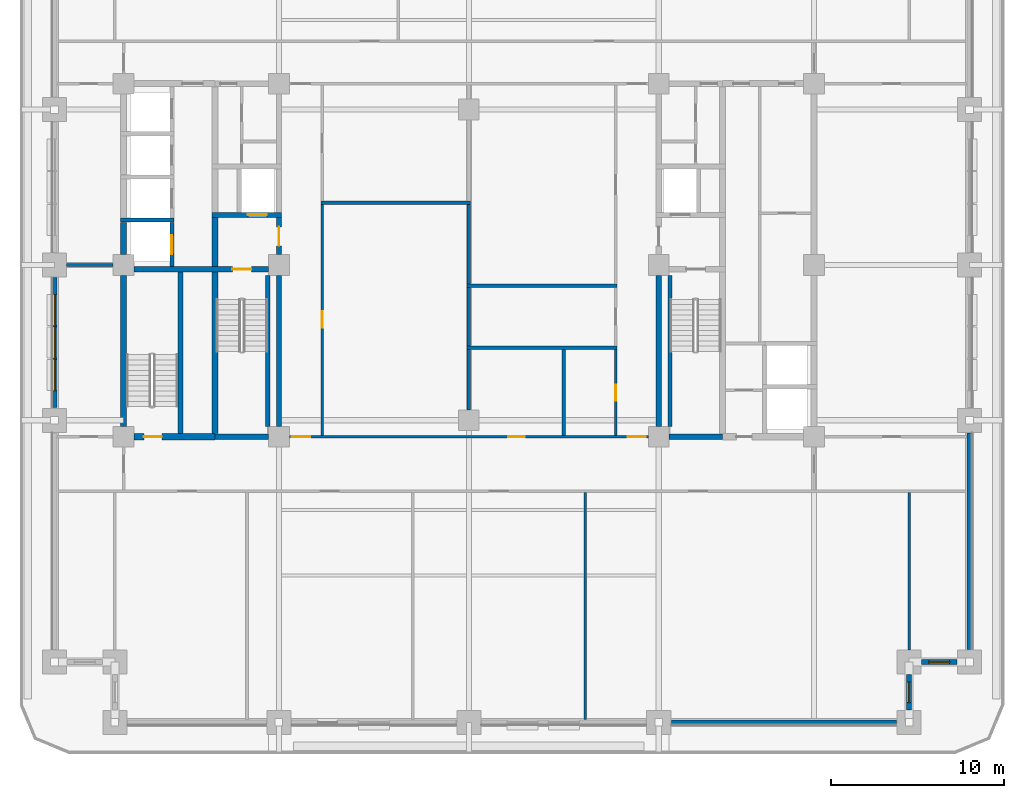
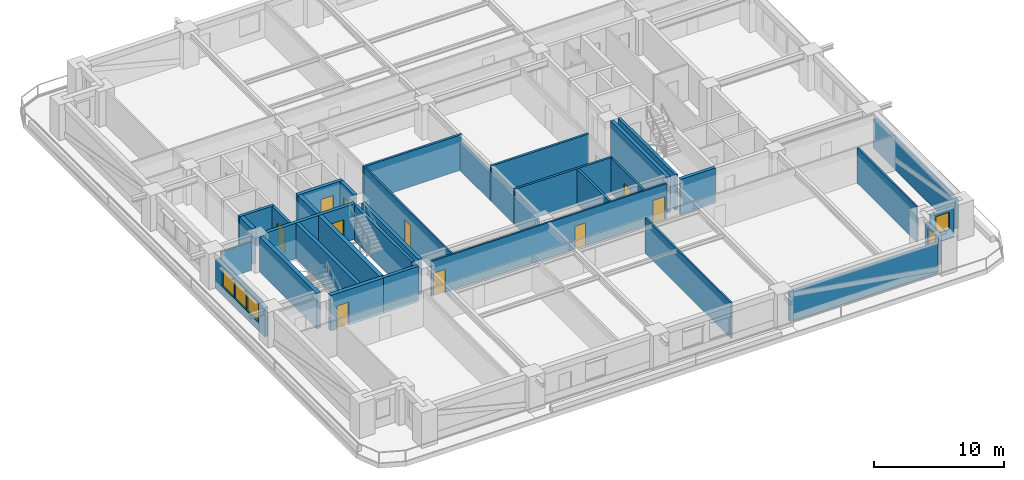
# One storey, part 3 of 14: 35 walls, 10 doors, 5 windows, 15 openings.
"""IFC4 building model written with IfcOpenShell, lengths in metres."""

import ifcopenshell
import ifcopenshell.guid

model = None  # the IFC model being written
_history = None  # IfcOwnerHistory: only IFC2X3 demands one
_inside = {}  # id of a spatial element -> (the spatial element, [elements in it])
_under = {}  # id of a project, library or spatial element -> (it, [spatial elements below it])
_declared = {}  # id of a project -> (the project, [libraries it declares])
_typed = {}  # id of a type object -> (the type object, [elements of that type])
_made_of = {}  # id of a material, layer set ... -> (it, [elements and type objects made of it])


def new_model(schema):
    """Start an empty IFC model of exactly this schema.

    Asked for "IFC4X3", IfcOpenShell would pick the latest addendum, in which some entities
    have other attributes; the version numbers below select the first issue.
    IFC2X3 requires an IfcOwnerHistory on every rooted entity: one is made here for all.
    """
    global model, _history
    if schema == "IFC4X3":
        model = ifcopenshell.file(schema_version=(4, 3, 0, 0))
    else:
        model = ifcopenshell.file(schema=schema)
    _inside.clear()
    _under.clear()
    _declared.clear()
    _typed.clear()
    _made_of.clear()
    _history = None
    if model.schema == "IFC2X3":
        org = make("IfcOrganization", Name="unknown")
        user = make(
            "IfcPersonAndOrganization",
            ThePerson=make("IfcPerson", FamilyName="unknown"),
            TheOrganization=org,
        )
        app = make(
            "IfcApplication",
            ApplicationDeveloper=org,
            Version="unknown",
            ApplicationFullName="unknown",
            ApplicationIdentifier="unknown",
        )
        _history = make(
            "IfcOwnerHistory",
            OwningUser=user,
            OwningApplication=app,
            ChangeAction="ADDED",
            CreationDate=0,
        )
    return model


def make(cls, **values):
    """One entity of the class cls with the attributes given. An attribute that is None is left unset."""
    return model.create_entity(
        cls, **{name: value for name, value in values.items() if value is not None}
    )


def rooted(cls, **values):
    """An entity with a GlobalId (a new one), such as an element, a storey or a relation."""
    return make(cls, GlobalId=ifcopenshell.guid.new(), OwnerHistory=_history, **values)


def si_unit(unit_type, name, prefix=None):
    """IfcSIUnit, for example si_unit("LENGTHUNIT", "METRE", prefix="MILLI")."""
    return make("IfcSIUnit", UnitType=unit_type, Prefix=prefix, Name=name)


def assignment(units):
    """IfcUnitAssignment: the units of a project."""
    return None if units is None else make("IfcUnitAssignment", Units=units)


def point(xyz):
    """IfcCartesianPoint."""
    return None if xyz is None else make("IfcCartesianPoint", Coordinates=xyz)


def direction(xyz):
    """IfcDirection."""
    return None if xyz is None else make("IfcDirection", DirectionRatios=xyz)


def frame(location, z_axis=None, x_axis=None):
    """IfcAxis2Placement3D, a coordinate frame: its origin and axes. An axis left out is left unset."""
    return make(
        "IfcAxis2Placement3D",
        Location=point(location),
        Axis=direction(z_axis),
        RefDirection=direction(x_axis),
    )


def frame_2d(location, x_axis=None):
    """IfcAxis2Placement2D, a coordinate frame in the plane: its origin and x axis."""
    return make(
        "IfcAxis2Placement2D", Location=point(location), RefDirection=direction(x_axis)
    )


def origin():
    """The frame at (0, 0, 0) with its axes left unset."""
    return frame((0.0, 0.0, 0.0))


def place(relative_to, where):
    """IfcLocalPlacement: puts the frame where relative to a parent placement (None: the world)."""
    return make(
        "IfcLocalPlacement", PlacementRelTo=relative_to, RelativePlacement=where
    )


def context(
    kind, dimensions, precision=None, world=None, true_north=None, identifier=None
):
    """IfcGeometricRepresentationContext, for example the 3D "Model" context."""
    return make(
        "IfcGeometricRepresentationContext",
        ContextIdentifier=identifier,
        ContextType=kind,
        CoordinateSpaceDimension=dimensions,
        Precision=precision,
        WorldCoordinateSystem=world,
        TrueNorth=true_north,
    )


def subcontext(parent, identifier, kind, view, scale=None):
    """IfcGeometricRepresentationSubContext, for example "Body" below "Model"."""
    return make(
        "IfcGeometricRepresentationSubContext",
        ContextIdentifier=identifier,
        ContextType=kind,
        ParentContext=parent,
        TargetScale=scale,
        TargetView=view,
    )


def project(units=None, contexts=None):
    """IfcProject with its units and contexts."""
    return rooted(
        "IfcProject",
        Name="project",
        RepresentationContexts=contexts,
        UnitsInContext=assignment(units),
    )


def spatial(cls, under=None, at=None, **own):
    """A site, building, storey or space (cls), placed at a placement, below another one or the project."""
    s = rooted(cls, ObjectPlacement=at, **own)
    if under is not None:
        _under.setdefault(under.id(), (under, []))[1].append(s)
    return s


def profile(cls, at=None, kind="AREA", **sizes):
    """A parametric profile (cls). Its sizes go by their IFC names, for example OverallWidth=200.0."""
    return make(cls, ProfileType=kind, Position=at, **sizes)


def rectangle(**sizes):
    """IfcRectangleProfileDef."""
    return profile("IfcRectangleProfileDef", **sizes)


def extrude(swept, where, along, depth):
    """IfcExtrudedAreaSolid: the profile swept, set in the frame where, extruded along a direction by depth."""
    return make(
        "IfcExtrudedAreaSolid",
        SweptArea=swept,
        Position=where,
        ExtrudedDirection=direction(along),
        Depth=depth,
    )


def shape(context_of_items, identifier, shape_type, items):
    """IfcShapeRepresentation: the items that make up one representation, for example the "Body"."""
    return make(
        "IfcShapeRepresentation",
        ContextOfItems=context_of_items,
        RepresentationIdentifier=identifier,
        RepresentationType=shape_type,
        Items=items,
    )


def material(Name=None, Category=None):
    """IfcMaterial."""
    return make("IfcMaterial", Name=Name, Category=Category)


def layer(
    of_material, thickness, ventilated=None, Name=None, Category=None, Priority=None
):
    """IfcMaterialLayer: one layer of a wall or slab, of a material (None: an air gap)."""
    return make(
        "IfcMaterialLayer",
        Material=of_material,
        LayerThickness=thickness,
        IsVentilated=ventilated,
        Name=Name,
        Category=Category,
        Priority=Priority,
    )


def layer_set(layers, Name=None):
    """IfcMaterialLayerSet."""
    return make("IfcMaterialLayerSet", MaterialLayers=layers, LayerSetName=Name)


def made_of(thing, what):
    """Note that an element or type object is made of a material, layer set ...; save() writes the relation."""
    if what is not None:
        _made_of.setdefault(what.id(), (what, []))[1].append(thing)
    return thing


def type_object(cls, material=None, **own):
    """A type object (cls), such as IfcWallType, which elements share."""
    return made_of(rooted(cls, **own), material)


def element(
    cls,
    number,
    at=None,
    inside=None,
    cuts=None,
    type_object=None,
    material=None,
    context=None,
    identifier="Body",
    shape_type=None,
    held_by="IfcProductDefinitionShape",
    body=None,
    shapes=None,
    **own,
):
    """One element of the class cls, such as IfcWall. Its Tag is "e" and its number.

    at: its placement. inside: the storey or other place that contains it. cuts: it is an
    opening in that element (IfcRelVoidsElement). A single representation is given by context,
    identifier, shape_type and body (its items); several are given by shapes. held_by: the class
    of the entity that holds the representations. save() writes the other relations.
    """
    e = rooted(cls, Tag="e%d" % number, ObjectPlacement=at, **own)
    if body is not None:
        shapes = [shape(context, identifier, shape_type, body)]
    if shapes is not None:
        e.Representation = make(held_by, Representations=shapes)
    if inside is not None:
        _inside.setdefault(inside.id(), (inside, []))[1].append(e)
    if cuts is not None:
        rooted(
            "IfcRelVoidsElement", RelatingBuildingElement=cuts, RelatedOpeningElement=e
        )
    if type_object is not None:
        _typed.setdefault(type_object.id(), (type_object, []))[1].append(e)
    return made_of(e, material)


def fill(opening, filler):
    """IfcRelFillsElement: the door or window that sits in an opening."""
    return rooted(
        "IfcRelFillsElement",
        RelatingOpeningElement=opening,
        RelatedBuildingElement=filler,
    )


def aggregate(whole, parts):
    """IfcRelAggregates: a whole, such as a stair, and the parts it consists of."""
    return rooted("IfcRelAggregates", RelatingObject=whole, RelatedObjects=parts)


def save(model, path):
    """Write the relations noted so far, then the file.

    IfcRelAggregates (storeys below a building ...), IfcRelContainedInSpatialStructure (elements
    in a storey), IfcRelDefinesByType, IfcRelAssociatesMaterial and IfcRelDeclares: one each for
    every whole, place, type object, material and project.
    """
    for whole, parts in _under.values():
        aggregate(whole, parts)
    for where, things in _inside.values():
        rooted(
            "IfcRelContainedInSpatialStructure",
            RelatedElements=things,
            RelatingStructure=where,
        )
    for kind, things in _typed.values():
        rooted("IfcRelDefinesByType", RelatedObjects=things, RelatingType=kind)
    for what, things in _made_of.values():
        rooted("IfcRelAssociatesMaterial", RelatedObjects=things, RelatingMaterial=what)
    for by, libraries in _declared.values():
        rooted("IfcRelDeclares", RelatingContext=by, RelatedDefinitions=libraries)
    model.write(path)


model = new_model("IFC4")

# Units and contexts
model_context = context("Model", 3, precision=1e-05, world=origin(), true_north=direction((0.0, 1.0)))
body_context = subcontext(model_context, "Body", "Model", "MODEL_VIEW")
ifc_project = project(units=[si_unit("LENGTHUNIT", "METRE"), si_unit("AREAUNIT", "SQUARE_METRE"), si_unit("VOLUMEUNIT", "CUBIC_METRE"), si_unit("PLANEANGLEUNIT", "RADIAN"), si_unit("MASSUNIT", "GRAM", prefix="KILO")], contexts=[model_context])

# Site, building, storey
site_placement = place(None, origin())
site = spatial("IfcSite", under=ifc_project, at=site_placement, CompositionType="ELEMENT")
building_placement = place(site_placement, origin())
building = spatial("IfcBuilding", under=site, at=building_placement, Name="Zulmaris Gate Convention Tower", CompositionType="ELEMENT")
storey_placement = place(building_placement, frame((0.0, 0.0, 41.47998046875)))
storey = spatial("IfcBuildingStorey", under=building, at=storey_placement, Name="L09", CompositionType="ELEMENT", Elevation=41.47998046875)

# Wall
ifc_material_1 = material(Name="Concrete C50/60", Category="concrete")
ifc_layer_1 = layer(ifc_material_1, 0.25, Name="Concrete C50/60")
ifc_layer_set_1 = layer_set([ifc_layer_1], Name="Concrete C50/60")
wall_type_1 = type_object("IfcWallType", Name="CORE-250", PredefinedType="SOLIDWALL", material=ifc_layer_set_1)
wall_1_placement = place(storey_placement, frame((-20.175048828125, 2.60009765625, 0.0), z_axis=(0.0, 0.0, 1.0), x_axis=(1.0, 0.0, 0.0)))
element("IfcWall", 1, at=wall_1_placement, inside=storey, type_object=wall_type_1, Name="WL-L09-009", PredefinedType="SOLIDWALL", context=body_context, shape_type="SweptSolid", body=[
    extrude(rectangle(XDim=3.10009765625, YDim=0.25, at=frame_2d((1.550048828125, 0.0))), origin(), (0.0, 0.0, 1.0), 3.320068359375),
])

# Wall, opening, door
wall_2_placement = place(storey_placement, frame((-17.199951171875, -0.097900390625, 0.0), z_axis=(0.0, 0.0, 1.0), x_axis=(0.0, 1.0, 0.0)))
wall_2 = element("IfcWall", 2, at=wall_2_placement, inside=storey, type_object=wall_type_1, Name="WL-L09-042", PredefinedType="SOLIDWALL", context=body_context, shape_type="SweptSolid", body=[
    extrude(rectangle(XDim=2.57080078125, YDim=0.25, at=frame_2d((1.285400390625, 0.0))), origin(), (0.0, 0.0, 1.0), 3.320068359375),
])
opening_1_placement = place(wall_2_placement, frame((0.722900390625, 0.0, 0.0)))
opening_1 = element("IfcOpeningElement", 3, at=opening_1_placement, cuts=wall_2, Name="Opening D-06", PredefinedType="OPENING", context=body_context, shape_type="SweptSolid", body=[
    extrude(rectangle(XDim=1.10009765625, YDim=2.199951171875, at=frame_2d((0.550048828125, 1.10009765625))), frame((0.0, 0.135009765625, 0.0), z_axis=(0.0, -1.0, 0.0), x_axis=(1.0, 0.0, 0.0)), (0.0, 0.0, 1.0), 0.27001953125),
])
ifc_material_2 = material(Name="Brushed Stainless Steel", Category="steel")
door_type_1 = type_object("IfcDoorType", Name="LD-1100", OperationType="NOTDEFINED", PredefinedType="DOOR", material=ifc_material_2)
door_1_placement = place(opening_1_placement, origin())
door_1 = element("IfcDoor", 4, at=door_1_placement, inside=storey, type_object=door_type_1, Name="L09 Lift Landing Door LP-01 15", OperationType="SLIDING_TO_LEFT", OverallHeight=2.199951171875, OverallWidth=1.10009765625, PredefinedType="DOOR", context=body_context, shape_type="SweptSolid", body=[
    extrude(rectangle(XDim=1.10009765625, YDim=2.199951171875, at=frame_2d((0.550048828125, 1.10009765625))), frame((0.0, 0.02490234375, 0.0), z_axis=(0.0, -1.0, 0.0), x_axis=(1.0, 0.0, 0.0)), (0.0, 0.0, 1.0), 0.050048828125),
])
fill(opening_1, door_1)

# Walls
for number, where, z_axis, x_axis, name in (
    (5, (-11.64990234375, -9.345947265625, 0.0), (0.0, 0.0, 1.0), (0.0, 1.0, 0.0), "WL-L09-052"),
    (6, (11.64990234375, -9.345947265625, 0.0), (0.0, 0.0, 1.0), (0.0, 1.0, 0.0), "WL-L09-061"),
):
    element("IfcWall", number, at=place(storey_placement, frame(where, z_axis=z_axis, x_axis=x_axis)), inside=storey, type_object=wall_type_1, Name=name, PredefinedType="SOLIDWALL", context=body_context, shape_type="SweptSolid", body=[
        extrude(rectangle(XDim=8.741943359375, YDim=0.25, at=frame_2d((4.37109375, 0.0))), origin(), (0.0, 0.0, 1.0), 3.320068359375),
    ])
ifc_layer_2 = layer(ifc_material_1, 0.300048828125, Name="Concrete C50/60")
ifc_layer_set_2 = layer_set([ifc_layer_2], Name="Concrete C50/60")
wall_type_2 = type_object("IfcWallType", Name="CORE-300", PredefinedType="SHEAR", material=ifc_layer_set_2)
for number, where, z_axis, x_axis, name in (
    (7, (-14.699951171875, -9.949951171875, 0.0), (0.0, 0.0, 1.0), (1.0, 0.0, 0.0), "WL-L09-002"),
    (8, (11.60400390625, -9.949951171875, 0.0), (0.0, 0.0, 1.0), (1.0, 0.0, 0.0), "WL-L09-003"),
):
    element("IfcWall", number, at=place(storey_placement, frame(where, z_axis=z_axis, x_axis=x_axis)), inside=storey, type_object=wall_type_2, Name=name, PredefinedType="SHEAR", context=body_context, shape_type="SweptSolid", body=[
        extrude(rectangle(XDim=3.095947265625, YDim=0.300048828125, at=frame_2d((1.5478515625, 0.0))), origin(), (0.0, 0.0, 1.0), 3.320068359375),
    ])

# Wall, opening, door
wall_3_placement = place(storey_placement, frame((-19.39599609375, -0.25, 0.0), z_axis=(0.0, 0.0, 1.0), x_axis=(1.0, 0.0, 0.0)))
wall_3 = element("IfcWall", 9, at=wall_3_placement, inside=storey, type_object=wall_type_2, Name="WL-L09-007", PredefinedType="SHEAR", context=body_context, shape_type="SweptSolid", body=[
    extrude(rectangle(XDim=7.7919921875, YDim=0.300048828125, at=frame_2d((3.89599609375, 0.0))), origin(), (0.0, 0.0, 1.0), 3.320068359375),
])
opening_2_placement = place(wall_3_placement, frame((5.696044921875, 0.0, 0.0)))
opening_2 = element("IfcOpeningElement", 10, at=opening_2_placement, cuts=wall_3, Name="Opening D-08", PredefinedType="OPENING", context=body_context, shape_type="SweptSolid", body=[
    extrude(rectangle(XDim=1.10009765625, YDim=2.14990234375, at=frame_2d((0.550048828125, 1.074951171875))), frame((0.0, 0.16015625, 0.0), z_axis=(0.0, -1.0, 0.0), x_axis=(1.0, 0.0, 0.0)), (0.0, 0.0, 1.0), 0.320068359375),
])
ifc_material_3 = material(Name="Fire-Rated Steel", Category="steel")
door_type_2 = type_object("IfcDoorType", Name="DR-1100-FD", OperationType="NOTDEFINED", PredefinedType="DOOR", material=ifc_material_3)
door_2_placement = place(opening_2_placement, origin())
door_2 = element("IfcDoor", 11, at=door_2_placement, inside=storey, type_object=door_type_2, Name="L09 Exit Stair ST-1 Door 01", OperationType="SINGLE_SWING_RIGHT", OverallHeight=2.14990234375, OverallWidth=1.10009765625, PredefinedType="DOOR", context=body_context, shape_type="SweptSolid", body=[
    extrude(rectangle(XDim=1.10009765625, YDim=2.14990234375, at=frame_2d((0.550048828125, 1.074951171875))), frame((0.0, 0.02490234375, 0.0), z_axis=(0.0, -1.0, 0.0), x_axis=(1.0, 0.0, 0.0)), (0.0, 0.0, 1.0), 0.050048828125),
])
fill(opening_2, door_2)

wall_4_placement = place(storey_placement, frame((-14.875, 2.89990234375, 0.0), z_axis=(0.0, 0.0, 1.0), x_axis=(1.0, 0.0, 0.0)))
wall_4 = element("IfcWall", 12, at=wall_4_placement, inside=storey, type_object=wall_type_2, Name="WL-L09-010", PredefinedType="SHEAR", context=body_context, shape_type="SweptSolid", body=[
    extrude(rectangle(XDim=4.02490234375, YDim=0.300048828125, at=frame_2d((2.012451171875, 0.0))), origin(), (0.0, 0.0, 1.0), 3.320068359375),
])
opening_3_placement = place(wall_4_placement, frame((2.074951171875, 0.0, 0.0)))
opening_3 = element("IfcOpeningElement", 13, at=opening_3_placement, cuts=wall_4, Name="Opening D-06", PredefinedType="OPENING", context=body_context, shape_type="SweptSolid", body=[
    extrude(rectangle(XDim=1.10009765625, YDim=2.199951171875, at=frame_2d((0.550048828125, 1.10009765625))), frame((0.0, 0.16015625, 0.0), z_axis=(0.0, -1.0, 0.0), x_axis=(1.0, 0.0, 0.0)), (0.0, 0.0, 1.0), 0.320068359375),
])
door_3_placement = place(opening_3_placement, origin())
door_3 = element("IfcDoor", 14, at=door_3_placement, inside=storey, type_object=door_type_1, Name="L09 Lift Landing Door LF-01 03", OperationType="SLIDING_TO_LEFT", OverallHeight=2.199951171875, OverallWidth=1.10009765625, PredefinedType="DOOR", context=body_context, shape_type="SweptSolid", body=[
    extrude(rectangle(XDim=1.10009765625, YDim=2.199951171875, at=frame_2d((0.550048828125, 1.10009765625))), frame((0.0, 0.02490234375, 0.0), z_axis=(0.0, -1.0, 0.0), x_axis=(1.0, 0.0, 0.0)), (0.0, 0.0, 1.0), 0.050048828125),
])
fill(opening_3, door_3)

# Walls
wall_5_placement = place(storey_placement, frame((-16.699951171875, -9.77294921875, 0.0), z_axis=(0.0, 0.0, 1.0), x_axis=(0.0, 1.0, 0.0)))
element("IfcWall", 15, at=wall_5_placement, inside=storey, type_object=wall_type_2, Name="WL-L09-046", PredefinedType="SHEAR", context=body_context, shape_type="SweptSolid", body=[
    extrude(rectangle(XDim=9.370849609375, YDim=0.300048828125, at=frame_2d((4.685546875, 0.0))), origin(), (0.0, 0.0, 1.0), 3.320068359375),
])
wall_6_placement = place(storey_placement, frame((-11.0, -9.345947265625, 0.0), z_axis=(0.0, 0.0, 1.0), x_axis=(0.0, 1.0, 0.0)))
element("IfcWall", 16, at=wall_6_placement, inside=storey, type_object=wall_type_2, Name="WL-L09-053", PredefinedType="SHEAR", context=body_context, shape_type="SweptSolid", body=[
    extrude(rectangle(XDim=8.741943359375, YDim=0.300048828125, at=frame_2d((4.37109375, 0.0))), origin(), (0.0, 0.0, 1.0), 3.320068359375),
])

# Wall, opening, door
wall_7_placement = place(storey_placement, frame((-11.0, 0.60400390625, 0.0), z_axis=(0.0, 0.0, 1.0), x_axis=(0.0, 1.0, 0.0)))
wall_7 = element("IfcWall", 17, at=wall_7_placement, inside=storey, type_object=wall_type_2, Name="WL-L09-054", PredefinedType="SHEAR", context=body_context, shape_type="SweptSolid", body=[
    extrude(rectangle(XDim=2.14404296875, YDim=0.300048828125, at=frame_2d((1.072021484375, 0.0))), origin(), (0.0, 0.0, 1.0), 3.320068359375),
])
opening_4_placement = place(wall_7_placement, frame((0.49609375, 0.0, 0.0)))
opening_4 = element("IfcOpeningElement", 18, at=opening_4_placement, cuts=wall_7, Name="Opening D-08", PredefinedType="OPENING", context=body_context, shape_type="SweptSolid", body=[
    extrude(rectangle(XDim=1.10009765625, YDim=2.14990234375, at=frame_2d((0.550048828125, 1.074951171875))), frame((0.0, 0.16015625, 0.0), z_axis=(0.0, -1.0, 0.0), x_axis=(1.0, 0.0, 0.0)), (0.0, 0.0, 1.0), 0.320068359375),
])
door_4_placement = place(opening_4_placement, origin())
door_4 = element("IfcDoor", 19, at=door_4_placement, inside=storey, type_object=door_type_2, Name="L09 West Firefighting Lobby Door 02", OperationType="SINGLE_SWING_LEFT", OverallHeight=2.14990234375, OverallWidth=1.10009765625, PredefinedType="DOOR", context=body_context, shape_type="SweptSolid", body=[
    extrude(rectangle(XDim=1.10009765625, YDim=2.14990234375, at=frame_2d((0.550048828125, 1.074951171875))), frame((0.0, 0.02490234375, 0.0), z_axis=(0.0, -1.0, 0.0), x_axis=(1.0, 0.0, 0.0)), (0.0, 0.0, 1.0), 0.050048828125),
])
fill(opening_4, door_4)

# Wall
wall_8_placement = place(storey_placement, frame((11.0, -9.345947265625, 0.0), z_axis=(0.0, 0.0, 1.0), x_axis=(0.0, 1.0, 0.0)))
element("IfcWall", 20, at=wall_8_placement, inside=storey, type_object=wall_type_2, Name="WL-L09-057", PredefinedType="SHEAR", context=body_context, shape_type="SweptSolid", body=[
    extrude(rectangle(XDim=8.741943359375, YDim=0.300048828125, at=frame_2d((4.37109375, 0.0))), origin(), (0.0, 0.0, 1.0), 3.320068359375),
])

# Wall, opening, door
ifc_material_4 = material(Name="Concrete C55/67", Category="concrete")
ifc_layer_3 = layer(ifc_material_4, 0.35009765625, Name="Concrete C55/67")
ifc_layer_set_3 = layer_set([ifc_layer_3], Name="Concrete C55/67")
wall_type_3 = type_object("IfcWallType", Name="CORE-350", PredefinedType="SHEAR", material=ifc_layer_set_3)
wall_9_placement = place(storey_placement, frame((-19.39599609375, -9.949951171875, 0.0), z_axis=(0.0, 0.0, 1.0), x_axis=(1.0, 0.0, 0.0)))
wall_9 = element("IfcWall", 21, at=wall_9_placement, inside=storey, type_object=wall_type_3, Name="WL-L09-001", PredefinedType="SHEAR", context=body_context, shape_type="SweptSolid", body=[
    extrude(rectangle(XDim=4.696044921875, YDim=0.35009765625, at=frame_2d((2.34814453125, 0.0))), origin(), (0.0, 0.0, 1.0), 3.320068359375),
])
opening_5_placement = place(wall_9_placement, frame((0.571044921875, 0.0, 0.0)))
opening_5 = element("IfcOpeningElement", 22, at=opening_5_placement, cuts=wall_9, Name="Opening D-09", PredefinedType="OPENING", context=body_context, shape_type="SweptSolid", body=[
    extrude(rectangle(XDim=1.050048828125, YDim=2.14990234375, at=frame_2d((0.52490234375, 1.074951171875))), frame((0.0, 0.18505859375, 0.0), z_axis=(0.0, -1.0, 0.0), x_axis=(1.0, 0.0, 0.0)), (0.0, 0.0, 1.0), 0.3701171875),
])
door_type_3 = type_object("IfcDoorType", Name="DR-1050-FD", OperationType="NOTDEFINED", PredefinedType="DOOR", material=ifc_material_3)
door_5_placement = place(opening_5_placement, origin())
door_5 = element("IfcDoor", 23, at=door_5_placement, inside=storey, type_object=door_type_3, Name="L09 Exit Stair ST-3 Door 13", OperationType="SINGLE_SWING_RIGHT", OverallHeight=2.14990234375, OverallWidth=1.050048828125, PredefinedType="DOOR", context=body_context, shape_type="SweptSolid", body=[
    extrude(rectangle(XDim=1.050048828125, YDim=2.14990234375, at=frame_2d((0.52490234375, 1.074951171875))), frame((0.0, 0.02490234375, 0.0), z_axis=(0.0, -1.0, 0.0), x_axis=(1.0, 0.0, 0.0)), (0.0, 0.0, 1.0), 0.050048828125),
])
fill(opening_5, door_5)

# Walls
wall_10_placement = place(storey_placement, frame((-20.0, -9.345947265625, 0.0), z_axis=(0.0, 0.0, 1.0), x_axis=(0.0, 1.0, 0.0)))
element("IfcWall", 24, at=wall_10_placement, inside=storey, type_object=wall_type_3, Name="WL-L09-037", PredefinedType="SHEAR", context=body_context, shape_type="SweptSolid", body=[
    extrude(rectangle(XDim=8.741943359375, YDim=0.35009765625, at=frame_2d((4.37109375, 0.0))), origin(), (0.0, 0.0, 1.0), 3.320068359375),
])
wall_11_placement = place(storey_placement, frame((-20.0, 0.60400390625, 0.0), z_axis=(0.0, 0.0, 1.0), x_axis=(0.0, 1.0, 0.0)))
element("IfcWall", 25, at=wall_11_placement, inside=storey, type_object=wall_type_3, Name="WL-L09-038", PredefinedType="SHEAR", context=body_context, shape_type="SweptSolid", body=[
    extrude(rectangle(XDim=1.868896484375, YDim=0.35009765625, at=frame_2d((0.9345703125, 0.0))), origin(), (0.0, 0.0, 1.0), 3.320068359375),
])
wall_12_placement = place(storey_placement, frame((-14.699951171875, -9.77294921875, 0.0), z_axis=(0.0, 0.0, 1.0), x_axis=(0.0, 1.0, 0.0)))
element("IfcWall", 26, at=wall_12_placement, inside=storey, type_object=wall_type_3, Name="WL-L09-047", PredefinedType="SHEAR", context=body_context, shape_type="SweptSolid", body=[
    extrude(rectangle(XDim=9.370849609375, YDim=0.35009765625, at=frame_2d((4.685546875, 0.0))), origin(), (0.0, 0.0, 1.0), 3.320068359375),
])
wall_13_placement = place(storey_placement, frame((-14.699951171875, -0.097900390625, 0.0), z_axis=(0.0, 0.0, 1.0), x_axis=(0.0, 1.0, 0.0)))
element("IfcWall", 27, at=wall_13_placement, inside=storey, type_object=wall_type_3, Name="WL-L09-048", PredefinedType="SHEAR", context=body_context, shape_type="SweptSolid", body=[
    extrude(rectangle(XDim=2.845947265625, YDim=0.35009765625, at=frame_2d((1.4228515625, 0.0))), origin(), (0.0, 0.0, 1.0), 3.320068359375),
])

# Wall, openings, doors
ifc_material_5 = material(Name="Gypsum Metal Stud Partition")
ifc_layer_4 = layer(ifc_material_5, 0.14990234375, Name="Gypsum Metal Stud Partition")
ifc_layer_set_4 = layer_set([ifc_layer_4], Name="Gypsum Metal Stud Partition")
wall_type_4 = type_object("IfcWallType", Name="PART-150", PredefinedType="PARTITIONING", material=ifc_layer_set_4)
wall_14_placement = place(storey_placement, frame((-10.39404296875, -9.949951171875, 0.0), z_axis=(0.0, 0.0, 1.0), x_axis=(1.0, 0.0, 0.0)))
wall_14 = element("IfcWall", 28, at=wall_14_placement, inside=storey, type_object=wall_type_4, Name="WL-L09-022", PredefinedType="PARTITIONING", context=body_context, shape_type="SweptSolid", body=[
    extrude(rectangle(XDim=20.7880859375, YDim=0.14990234375, at=frame_2d((10.39404296875, 0.0))), origin(), (0.0, 0.0, 1.0), 3.320068359375),
])
opening_6_placement = place(wall_14_placement, frame((0.14990234375, 0.0, 0.0)))
opening_6 = element("IfcOpeningElement", 29, at=opening_6_placement, cuts=wall_14, Name="Opening D-09", PredefinedType="OPENING", context=body_context, shape_type="SweptSolid", body=[
    extrude(rectangle(XDim=1.050048828125, YDim=2.14990234375, at=frame_2d((0.52490234375, 1.074951171875))), frame((0.0, 0.0849609375, 0.0), z_axis=(0.0, -1.0, 0.0), x_axis=(1.0, 0.0, 0.0)), (0.0, 0.0, 1.0), 0.169921875),
])
opening_7_placement = place(wall_14_placement, frame((19.587890625, 0.0, 0.0)))
opening_7 = element("IfcOpeningElement", 30, at=opening_7_placement, cuts=wall_14, Name="Opening D-09", PredefinedType="OPENING", context=body_context, shape_type="SweptSolid", body=[
    extrude(rectangle(XDim=1.050048828125, YDim=2.14990234375, at=frame_2d((0.52490234375, 1.074951171875))), frame((0.0, 0.0849609375, 0.0), z_axis=(0.0, -1.0, 0.0), x_axis=(1.0, 0.0, 0.0)), (0.0, 0.0, 1.0), 0.169921875),
])
opening_8_placement = place(wall_14_placement, frame((12.6689453125, 0.0, 0.0)))
opening_8 = element("IfcOpeningElement", 31, at=opening_8_placement, cuts=wall_14, Name="Opening D-11", PredefinedType="OPENING", context=body_context, shape_type="SweptSolid", body=[
    extrude(rectangle(XDim=0.949951171875, YDim=2.14990234375, at=frame_2d((0.47509765625, 1.074951171875))), frame((0.0, 0.0849609375, 0.0), z_axis=(0.0, -1.0, 0.0), x_axis=(1.0, 0.0, 0.0)), (0.0, 0.0, 1.0), 0.169921875),
])
door_6_placement = place(opening_6_placement, origin())
door_6 = element("IfcDoor", 32, at=door_6_placement, inside=storey, type_object=door_type_3, Name="L09 SW Spine Link Door 25", OperationType="SINGLE_SWING_RIGHT", OverallHeight=2.14990234375, OverallWidth=1.050048828125, PredefinedType="DOOR", context=body_context, shape_type="SweptSolid", body=[
    extrude(rectangle(XDim=1.050048828125, YDim=2.14990234375, at=frame_2d((0.52490234375, 1.074951171875))), frame((0.0, 0.02490234375, 0.0), z_axis=(0.0, -1.0, 0.0), x_axis=(1.0, 0.0, 0.0)), (0.0, 0.0, 1.0), 0.050048828125),
])
fill(opening_6, door_6)
door_7_placement = place(opening_7_placement, origin())
door_7 = element("IfcDoor", 33, at=door_7_placement, inside=storey, type_object=door_type_3, Name="L09 SE Spine Link Door 27", OperationType="SINGLE_SWING_RIGHT", OverallHeight=2.14990234375, OverallWidth=1.050048828125, PredefinedType="DOOR", context=body_context, shape_type="SweptSolid", body=[
    extrude(rectangle(XDim=1.050048828125, YDim=2.14990234375, at=frame_2d((0.52490234375, 1.074951171875))), frame((0.0, 0.02490234375, 0.0), z_axis=(0.0, -1.0, 0.0), x_axis=(1.0, 0.0, 0.0)), (0.0, 0.0, 1.0), 0.050048828125),
])
fill(opening_7, door_7)
ifc_material_6 = material(Name="Fire-Rated Timber", Category="wood")
door_type_4 = type_object("IfcDoorType", Name="DR-950-FD", OperationType="NOTDEFINED", PredefinedType="DOOR", material=ifc_material_6)
door_8_placement = place(opening_8_placement, origin())
door_8 = element("IfcDoor", 34, at=door_8_placement, inside=storey, type_object=door_type_4, Name="L09 Print Room Door 39", OperationType="SINGLE_SWING_RIGHT", OverallHeight=2.14990234375, OverallWidth=0.949951171875, PredefinedType="DOOR", context=body_context, shape_type="SweptSolid", body=[
    extrude(rectangle(XDim=0.949951171875, YDim=2.14990234375, at=frame_2d((0.47509765625, 1.074951171875))), frame((0.0, 0.02490234375, 0.0), z_axis=(0.0, -1.0, 0.0), x_axis=(1.0, 0.0, 0.0)), (0.0, 0.0, 1.0), 0.050048828125),
])
fill(opening_8, door_8)

# Wall
wall_15_placement = place(storey_placement, frame((-23.2939453125, 0.0, 0.0), z_axis=(0.0, 0.0, 1.0), x_axis=(1.0, 0.0, 0.0)))
element("IfcWall", 35, at=wall_15_placement, inside=storey, type_object=wall_type_4, Name="WL-L09-028", PredefinedType="PARTITIONING", context=body_context, shape_type="SweptSolid", body=[
    extrude(rectangle(XDim=2.68798828125, YDim=0.14990234375, at=frame_2d((1.343994140625, 0.0))), origin(), (0.0, 0.0, 1.0), 2.659912109375),
])

# Wall, opening, door
wall_16_placement = place(storey_placement, frame((-8.5, -9.8720703125, 0.0), z_axis=(0.0, 0.0, 1.0), x_axis=(0.0, 1.0, 0.0)))
wall_16 = element("IfcWall", 36, at=wall_16_placement, inside=storey, type_object=wall_type_4, Name="WL-L09-079", PredefinedType="PARTITIONING", context=body_context, shape_type="SweptSolid", body=[
    extrude(rectangle(XDim=13.369140625, YDim=0.14990234375, at=frame_2d((6.6845703125, 0.0))), origin(), (0.0, 0.0, 1.0), 3.320068359375),
])
opening_9_placement = place(wall_16_placement, frame((6.22705078125, 0.0, 0.0)))
opening_9 = element("IfcOpeningElement", 37, at=opening_9_placement, cuts=wall_16, Name="Opening D-11", PredefinedType="OPENING", context=body_context, shape_type="SweptSolid", body=[
    extrude(rectangle(XDim=0.949951171875, YDim=2.14990234375, at=frame_2d((0.47509765625, 1.074951171875))), frame((0.0, 0.0849609375, 0.0), z_axis=(0.0, -1.0, 0.0), x_axis=(1.0, 0.0, 0.0)), (0.0, 0.0, 1.0), 0.169921875),
])
door_9_placement = place(opening_9_placement, origin())
door_9 = element("IfcDoor", 38, at=door_9_placement, inside=storey, type_object=door_type_4, Name="L09 Wellness Pantry Door 35", OperationType="SINGLE_SWING_RIGHT", OverallHeight=2.14990234375, OverallWidth=0.949951171875, PredefinedType="DOOR", context=body_context, shape_type="SweptSolid", body=[
    extrude(rectangle(XDim=0.949951171875, YDim=2.14990234375, at=frame_2d((0.47509765625, 1.074951171875))), frame((0.0, 0.02490234375, 0.0), z_axis=(0.0, -1.0, 0.0), x_axis=(1.0, 0.0, 0.0)), (0.0, 0.0, 1.0), 0.050048828125),
])
fill(opening_9, door_9)

# Wall
wall_17_placement = place(storey_placement, frame((6.75, -26.3349609375, 0.0), z_axis=(0.0, 0.0, 1.0), x_axis=(0.0, 1.0, 0.0)))
element("IfcWall", 39, at=wall_17_placement, inside=storey, type_object=wall_type_4, Name="WL-L09-088", PredefinedType="PARTITIONING", context=body_context, shape_type="SweptSolid", body=[
    extrude(rectangle(XDim=13.156982421875, YDim=0.14990234375, at=frame_2d((6.57861328125, 0.0))), origin(), (0.0, 0.0, 1.0), 3.320068359375),
])

# Wall, opening, door
wall_18_placement = place(storey_placement, frame((8.5, -9.8720703125, 0.0), z_axis=(0.0, 0.0, 1.0), x_axis=(0.0, 1.0, 0.0)))
wall_18 = element("IfcWall", 40, at=wall_18_placement, inside=storey, type_object=wall_type_4, Name="WL-L09-089", PredefinedType="PARTITIONING", context=body_context, shape_type="SweptSolid", body=[
    extrude(rectangle(XDim=4.968994140625, YDim=0.14990234375, at=frame_2d((2.484375, 0.0))), origin(), (0.0, 0.0, 1.0), 3.320068359375),
])
opening_10_placement = place(wall_18_placement, frame((1.9970703125, 0.0, 0.0)))
opening_10 = element("IfcOpeningElement", 41, at=opening_10_placement, cuts=wall_18, Name="Opening D-11", PredefinedType="OPENING", context=body_context, shape_type="SweptSolid", body=[
    extrude(rectangle(XDim=0.949951171875, YDim=2.14990234375, at=frame_2d((0.47509765625, 1.074951171875))), frame((0.0, 0.0849609375, 0.0), z_axis=(0.0, -1.0, 0.0), x_axis=(1.0, 0.0, 0.0)), (0.0, 0.0, 1.0), 0.169921875),
])
door_10_placement = place(opening_10_placement, origin())
door_10 = element("IfcDoor", 42, at=door_10_placement, inside=storey, type_object=door_type_4, Name="L09 Accessible WC Door 38", OperationType="SINGLE_SWING_LEFT", OverallHeight=2.14990234375, OverallWidth=0.949951171875, PredefinedType="DOOR", context=body_context, shape_type="SweptSolid", body=[
    extrude(rectangle(XDim=0.949951171875, YDim=2.14990234375, at=frame_2d((0.47509765625, 1.074951171875))), frame((0.0, 0.02490234375, 0.0), z_axis=(0.0, -1.0, 0.0), x_axis=(1.0, 0.0, 0.0)), (0.0, 0.0, 1.0), 0.050048828125),
])
fill(opening_10, door_10)

# Walls
wall_19_placement = place(storey_placement, frame((25.5, -22.2939453125, 0.0), z_axis=(0.0, 0.0, 1.0), x_axis=(0.0, 1.0, 0.0)))
element("IfcWall", 43, at=wall_19_placement, inside=storey, type_object=wall_type_4, Name="WL-L09-098", PredefinedType="PARTITIONING", context=body_context, shape_type="SweptSolid", body=[
    extrude(rectangle(XDim=9.115966796875, YDim=0.14990234375, at=frame_2d((4.55810546875, 0.0))), origin(), (0.0, 0.0, 1.0), 3.320068359375),
])
ifc_material_7 = material(Name="Autoclaved Aerated Concrete Block and Plasterboard", Category="concrete")
ifc_layer_5 = layer(ifc_material_7, 0.199951171875, Name="Autoclaved Aerated Concrete Block and Plasterboard")
ifc_layer_set_5 = layer_set([ifc_layer_5], Name="Autoclaved Aerated Concrete Block and Plasterboard")
wall_type_5 = type_object("IfcWallType", Name="PART-200", PredefinedType="PARTITIONING", material=ifc_layer_set_5)
for number, where, z_axis, x_axis, name in (
    (44, (-0.10009765625, -4.800048828125, 0.0), (0.0, 0.0, 1.0), (1.0, 0.0, 0.0), "WL-L09-025"),
    (45, (-0.10009765625, -1.199951171875, 0.0), (0.0, 0.0, 1.0), (1.0, 0.0, 0.0), "WL-L09-027"),
    (46, (-8.574951171875, 3.60009765625, 0.0), (0.0, 0.0, 1.0), (1.0, 0.0, 0.0), "WL-L09-030"),
):
    element("IfcWall", number, at=place(storey_placement, frame(where, z_axis=z_axis, x_axis=x_axis)), inside=storey, type_object=wall_type_5, Name=name, PredefinedType="PARTITIONING", context=body_context, shape_type="SweptSolid", body=[
        extrude(rectangle(XDim=8.675048828125, YDim=0.199951171875, at=frame_2d((4.33740234375, 0.0))), origin(), (0.0, 0.0, 1.0), 3.320068359375),
    ])
wall_20_placement = place(storey_placement, frame((0.0, -8.39404296875, 0.0), z_axis=(0.0, 0.0, 1.0), x_axis=(0.0, 1.0, 0.0)))
element("IfcWall", 47, at=wall_20_placement, inside=storey, type_object=wall_type_5, Name="WL-L09-083", PredefinedType="PARTITIONING", context=body_context, shape_type="SweptSolid", body=[
    extrude(rectangle(XDim=3.490966796875, YDim=0.199951171875, at=frame_2d((1.74560546875, 0.0))), origin(), (0.0, 0.0, 1.0), 2.659912109375),
])
wall_21_placement = place(storey_placement, frame((0.0, -4.697021484375, 0.0), z_axis=(0.0, 0.0, 1.0), x_axis=(0.0, 1.0, 0.0)))
element("IfcWall", 48, at=wall_21_placement, inside=storey, type_object=wall_type_5, Name="WL-L09-084", PredefinedType="PARTITIONING", context=body_context, shape_type="SweptSolid", body=[
    extrude(rectangle(XDim=3.39404296875, YDim=0.199951171875, at=frame_2d((1.697021484375, 0.0))), origin(), (0.0, 0.0, 1.0), 2.659912109375),
])
wall_22_placement = place(storey_placement, frame((0.0, -1.096923828125, 0.0), z_axis=(0.0, 0.0, 1.0), x_axis=(0.0, 1.0, 0.0)))
element("IfcWall", 49, at=wall_22_placement, inside=storey, type_object=wall_type_5, Name="WL-L09-085", PredefinedType="PARTITIONING", context=body_context, shape_type="SweptSolid", body=[
    extrude(rectangle(XDim=4.593994140625, YDim=0.199951171875, at=frame_2d((2.296875, 0.0))), origin(), (0.0, 0.0, 1.0), 2.659912109375),
])
wall_23_placement = place(storey_placement, frame((5.5, -9.8720703125, 0.0), z_axis=(0.0, 0.0, 1.0), x_axis=(0.0, 1.0, 0.0)))
element("IfcWall", 50, at=wall_23_placement, inside=storey, type_object=wall_type_5, Name="WL-L09-087", PredefinedType="PARTITIONING", context=body_context, shape_type="SweptSolid", body=[
    extrude(rectangle(XDim=4.968994140625, YDim=0.199951171875, at=frame_2d((2.484375, 0.0))), origin(), (0.0, 0.0, 1.0), 3.320068359375),
])

# Wall, opening, window
ifc_material_8 = material(Name="Precast concrete C40/50", Category="concrete")
ifc_layer_6 = layer(ifc_material_8, 0.300048828125, Name="Precast concrete C40/50")
ifc_layer_set_6 = layer_set([ifc_layer_6], Name="Precast concrete C40/50")
wall_type_6 = type_object("IfcWallType", Name="PRECAST-PIER-300", PredefinedType="STANDARD", material=ifc_layer_set_6)
wall_24_placement = place(storey_placement, frame((25.5, -25.77001953125, 0.0), z_axis=(0.0, 0.0, 1.0), x_axis=(0.0, 1.0, 0.0)))
wall_24 = element("IfcWall", 51, at=wall_24_placement, inside=storey, type_object=wall_type_6, Name="EW-L09-NOTCH-SE1_0", PredefinedType="STANDARD", context=body_context, shape_type="SweptSolid", body=[
    extrude(rectangle(XDim=2.0400390625, YDim=0.300048828125, at=frame_2d((1.02001953125, 0.0))), origin(), (0.0, 0.0, 1.0), 2.7119140625),
])
opening_11_placement = place(wall_24_placement, frame((0.419921875, 0.0, 0.820068359375)))
opening_11 = element("IfcOpeningElement", 52, at=opening_11_placement, cuts=wall_24, Name="Opening W-04", PredefinedType="OPENING", context=body_context, shape_type="SweptSolid", body=[
    extrude(rectangle(XDim=1.199951171875, YDim=1.64990234375, at=frame_2d((0.60009765625, 0.824951171875))), frame((0.0, 0.16015625, 0.0), z_axis=(0.0, -1.0, 0.0), x_axis=(1.0, 0.0, 0.0)), (0.0, 0.0, 1.0), 0.320068359375),
])
ifc_material_9 = material(Name="Low-E Laminated Double Glazing in Aluminium Frame", Category="aluminium")
window_type_1 = type_object("IfcWindowType", Name="WIN-1200x2100", PartitioningType="SINGLE_PANEL", PredefinedType="WINDOW", material=ifc_material_9)
window_1_placement = place(opening_11_placement, origin())
window_1 = element("IfcWindow", 53, at=window_1_placement, inside=storey, type_object=window_type_1, Name="WN-EW-L09-NOTCH-SE1_0", OverallHeight=1.64990234375, OverallWidth=1.199951171875, PartitioningType="SINGLE_PANEL", PredefinedType="WINDOW", context=body_context, shape_type="SweptSolid", body=[
    extrude(rectangle(XDim=1.199951171875, YDim=1.64990234375, at=frame_2d((0.60009765625, 0.824951171875))), frame((0.0, 0.030029296875, 0.0), z_axis=(0.0, -1.0, 0.0), x_axis=(1.0, 0.0, 0.0)), (0.0, 0.0, 1.0), 0.06005859375),
])
fill(opening_11, window_1)

wall_25_placement = place(storey_placement, frame((26.22998046875, -23.0, 0.0), z_axis=(0.0, 0.0, 1.0), x_axis=(1.0, 0.0, 0.0)))
wall_25 = element("IfcWall", 54, at=wall_25_placement, inside=storey, type_object=wall_type_6, Name="EW-L09-NOTCH-SE2_0", PredefinedType="STANDARD", context=body_context, shape_type="SweptSolid", body=[
    extrude(rectangle(XDim=2.0400390625, YDim=0.300048828125, at=frame_2d((1.02001953125, 0.0))), origin(), (0.0, 0.0, 1.0), 2.7119140625),
])
opening_12_placement = place(wall_25_placement, frame((0.419921875, 0.0, 0.820068359375)))
opening_12 = element("IfcOpeningElement", 55, at=opening_12_placement, cuts=wall_25, Name="Opening W-04", PredefinedType="OPENING", context=body_context, shape_type="SweptSolid", body=[
    extrude(rectangle(XDim=1.199951171875, YDim=1.64990234375, at=frame_2d((0.60009765625, 0.824951171875))), frame((0.0, 0.16015625, 0.0), z_axis=(0.0, -1.0, 0.0), x_axis=(1.0, 0.0, 0.0)), (0.0, 0.0, 1.0), 0.320068359375),
])
window_2_placement = place(opening_12_placement, origin())
window_2 = element("IfcWindow", 56, at=window_2_placement, inside=storey, type_object=window_type_1, Name="WN-EW-L09-NOTCH-SE2_0", OverallHeight=1.64990234375, OverallWidth=1.199951171875, PartitioningType="SINGLE_PANEL", PredefinedType="WINDOW", context=body_context, shape_type="SweptSolid", body=[
    extrude(rectangle(XDim=1.199951171875, YDim=1.64990234375, at=frame_2d((0.60009765625, 0.824951171875))), frame((0.0, 0.030029296875, 0.0), z_axis=(0.0, -1.0, 0.0), x_axis=(1.0, 0.0, 0.0)), (0.0, 0.0, 1.0), 0.06005859375),
])
fill(opening_12, window_2)

# Walls
wall_26_placement = place(storey_placement, frame((11.72998046875, -26.5, 0.0), z_axis=(0.0, 0.0, 1.0), x_axis=(1.0, 0.0, 0.0)))
element("IfcWall", 57, at=wall_26_placement, inside=storey, type_object=wall_type_6, Name="EW-L09-S-3_0", PredefinedType="STANDARD", context=body_context, shape_type="SweptSolid", body=[
    extrude(rectangle(XDim=13.0400390625, YDim=0.300048828125, at=frame_2d((6.52001953125, 0.0))), origin(), (0.0, 0.0, 1.0), 2.7119140625),
])
wall_27_placement = place(storey_placement, frame((29.0, -22.27001953125, 0.0), z_axis=(0.0, 0.0, 1.0), x_axis=(0.0, 1.0, 0.0)))
element("IfcWall", 58, at=wall_27_placement, inside=storey, type_object=wall_type_6, Name="EW-L09-E-0_0", PredefinedType="STANDARD", context=body_context, shape_type="SweptSolid", body=[
    extrude(rectangle(XDim=12.5400390625, YDim=0.300048828125, at=frame_2d((6.27001953125, 0.0))), origin(), (0.0, 0.0, 1.0), 2.7119140625),
])

# Wall, openings, windows
wall_28_placement = place(storey_placement, frame((-24.0, -0.72998046875, 0.0), z_axis=(0.0, 0.0, 1.0), x_axis=(0.0, -1.0, 0.0)))
wall_28 = element("IfcWall", 59, at=wall_28_placement, inside=storey, type_object=wall_type_6, Name="EW-L09-W-1_0", PredefinedType="STANDARD", context=body_context, shape_type="SweptSolid", body=[
    extrude(rectangle(XDim=7.5400390625, YDim=0.300048828125, at=frame_2d((3.77001953125, 0.0))), origin(), (0.0, 0.0, 1.0), 2.7119140625),
])
opening_13_placement = place(wall_28_placement, frame((0.985107421875, 0.0, 0.780029296875)))
opening_13 = element("IfcOpeningElement", 60, at=opening_13_placement, cuts=wall_28, Name="Opening W-02", PredefinedType="OPENING", context=body_context, shape_type="SweptSolid", body=[
    extrude(rectangle(XDim=1.800048828125, YDim=1.719970703125, at=frame_2d((0.89990234375, 0.85986328125))), frame((0.0, 0.16015625, 0.0), z_axis=(0.0, -1.0, 0.0), x_axis=(1.0, 0.0, 0.0)), (0.0, 0.0, 1.0), 0.320068359375),
])
opening_14_placement = place(wall_28_placement, frame((2.8701171875, 0.0, 0.780029296875)))
opening_14 = element("IfcOpeningElement", 61, at=opening_14_placement, cuts=wall_28, Name="Opening W-02", PredefinedType="OPENING", context=body_context, shape_type="SweptSolid", body=[
    extrude(rectangle(XDim=1.800048828125, YDim=1.719970703125, at=frame_2d((0.89990234375, 0.85986328125))), frame((0.0, 0.16015625, 0.0), z_axis=(0.0, -1.0, 0.0), x_axis=(1.0, 0.0, 0.0)), (0.0, 0.0, 1.0), 0.320068359375),
])
opening_15_placement = place(wall_28_placement, frame((4.7548828125, 0.0, 0.780029296875)))
opening_15 = element("IfcOpeningElement", 62, at=opening_15_placement, cuts=wall_28, Name="Opening W-02", PredefinedType="OPENING", context=body_context, shape_type="SweptSolid", body=[
    extrude(rectangle(XDim=1.800048828125, YDim=1.719970703125, at=frame_2d((0.89990234375, 0.85986328125))), frame((0.0, 0.16015625, 0.0), z_axis=(0.0, -1.0, 0.0), x_axis=(1.0, 0.0, 0.0)), (0.0, 0.0, 1.0), 0.320068359375),
])
window_type_2 = type_object("IfcWindowType", Name="WIN-1800x2200", PartitioningType="SINGLE_PANEL", PredefinedType="WINDOW", material=ifc_material_9)
window_3_placement = place(opening_13_placement, origin())
window_3 = element("IfcWindow", 63, at=window_3_placement, inside=storey, type_object=window_type_2, Name="WN-EW-L09-W-1_0-1", OverallHeight=1.719970703125, OverallWidth=1.800048828125, PartitioningType="SINGLE_PANEL", PredefinedType="WINDOW", context=body_context, shape_type="SweptSolid", body=[
    extrude(rectangle(XDim=1.800048828125, YDim=1.719970703125, at=frame_2d((0.89990234375, 0.85986328125))), frame((0.0, 0.030029296875, 0.0), z_axis=(0.0, -1.0, 0.0), x_axis=(1.0, 0.0, 0.0)), (0.0, 0.0, 1.0), 0.06005859375),
])
fill(opening_13, window_3)
window_4_placement = place(opening_14_placement, origin())
window_4 = element("IfcWindow", 64, at=window_4_placement, inside=storey, type_object=window_type_2, Name="WN-EW-L09-W-1_0-2", OverallHeight=1.719970703125, OverallWidth=1.800048828125, PartitioningType="SINGLE_PANEL", PredefinedType="WINDOW", context=body_context, shape_type="SweptSolid", body=[
    extrude(rectangle(XDim=1.800048828125, YDim=1.719970703125, at=frame_2d((0.89990234375, 0.85986328125))), frame((0.0, 0.030029296875, 0.0), z_axis=(0.0, -1.0, 0.0), x_axis=(1.0, 0.0, 0.0)), (0.0, 0.0, 1.0), 0.06005859375),
])
fill(opening_14, window_4)
window_5_placement = place(opening_15_placement, origin())
window_5 = element("IfcWindow", 65, at=window_5_placement, inside=storey, type_object=window_type_2, Name="WN-EW-L09-W-1_0-3", OverallHeight=1.719970703125, OverallWidth=1.800048828125, PartitioningType="SINGLE_PANEL", PredefinedType="WINDOW", context=body_context, shape_type="SweptSolid", body=[
    extrude(rectangle(XDim=1.800048828125, YDim=1.719970703125, at=frame_2d((0.89990234375, 0.85986328125))), frame((0.0, 0.030029296875, 0.0), z_axis=(0.0, -1.0, 0.0), x_axis=(1.0, 0.0, 0.0)), (0.0, 0.0, 1.0), 0.06005859375),
])
fill(opening_15, window_5)

save(model, "model.ifc")
